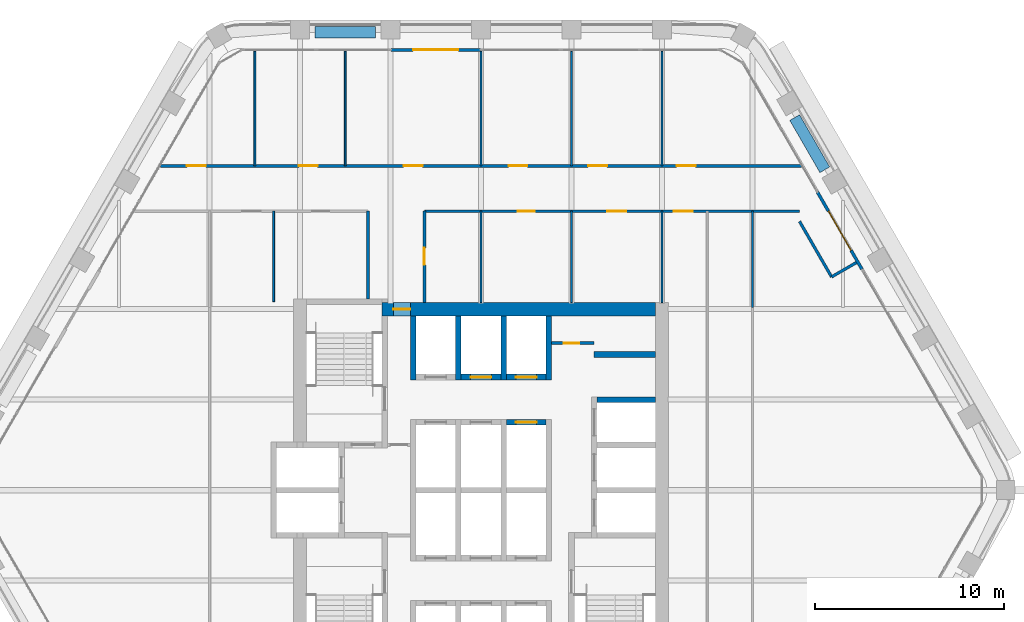
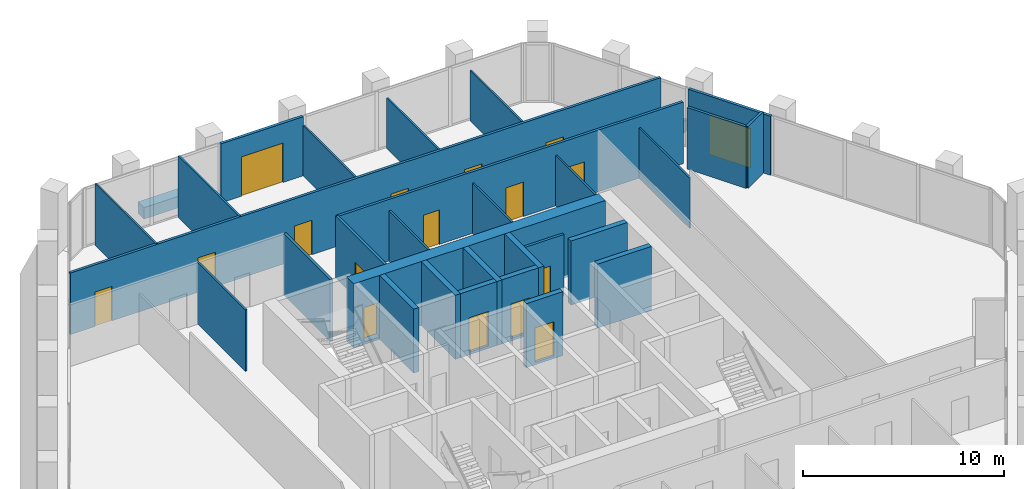
# One storey, part 12 of 16: 31 walls, 17 doors, 17 openings.
"""IFC4 building model written with IfcOpenShell, lengths in metres."""

from ifc_helpers import new_model, si_unit, direction, frame, frame_2d, origin, place, context, subcontext, project, spatial, rectangle, extrude, material, layer, layer_set, type_object, element, fill, save


model = new_model("IFC4")

# Units and contexts
model_context = context("Model", 3, precision=1e-05, world=origin(), true_north=direction((0.0, 1.0)))
body_context = subcontext(model_context, "Body", "Model", "MODEL_VIEW")
ifc_project = project(units=[si_unit("LENGTHUNIT", "METRE"), si_unit("AREAUNIT", "SQUARE_METRE"), si_unit("VOLUMEUNIT", "CUBIC_METRE"), si_unit("PLANEANGLEUNIT", "RADIAN"), si_unit("MASSUNIT", "GRAM", prefix="KILO")], contexts=[model_context])

# Site, building, storey
site_placement = place(None, origin())
site = spatial("IfcSite", under=ifc_project, at=site_placement, CompositionType="ELEMENT")
building_placement = place(site_placement, origin())
building = spatial("IfcBuilding", under=site, at=building_placement, Name="Kolab Exchange Tower", CompositionType="ELEMENT")
storey_placement = place(building_placement, frame((0.0, 0.0, 193.39990234375)))
storey = spatial("IfcBuildingStorey", under=building, at=storey_placement, Name="L41", CompositionType="ELEMENT", Elevation=193.39990234375)

# Wall, opening, door
ifc_material_1 = material(Name="Concrete C60/75", Category="concrete")
ifc_layer_1 = layer(ifc_material_1, 0.699951171875)
ifc_layer_set_1 = layer_set([ifc_layer_1], Name="Concrete C60/75")
wall_type_1 = type_object("IfcWallType", Name="CORE WALL 700 C60/75", PredefinedType="SHEAR", material=ifc_layer_set_1)
wall_1_placement = place(storey_placement, frame((-5.25, 9.60009765625, -0.14990234375), z_axis=(0.0, 0.0, 1.0), x_axis=(1.0, 0.0, 0.0)))
wall_1 = element("IfcWall", 1, at=wall_1_placement, inside=storey, type_object=wall_type_1, Name="wall/L41/core/031", PredefinedType="SHEAR", context=body_context, shape_type="SweptSolid", body=[
    extrude(rectangle(XDim=14.5, YDim=0.699951171875, at=frame_2d((7.25, 0.0))), origin(), (0.0, 0.0, 1.0), 3.89990234375),
])
opening_1_placement = place(wall_1_placement, frame((0.60009765625, 0.0, 0.14990234375)))
opening_1 = element("IfcOpeningElement", 2, at=opening_1_placement, cuts=wall_1, Name="Opening D6-289", PredefinedType="OPENING", context=body_context, shape_type="SweptSolid", body=[
    extrude(rectangle(XDim=0.89990234375, YDim=2.10009765625, at=frame_2d((0.449951171875, 1.050048828125))), frame((0.0, 0.35986328125, 0.0), z_axis=(0.0, -1.0, 0.0), x_axis=(1.0, 0.0, 0.0)), (0.0, 0.0, 1.0), 0.719970703125),
])
ifc_material_2 = material(Name="Steel S235", Category="steel")
door_type_1 = type_object("IfcDoorType", Name="CORE DOOR 900 EI 120", OperationType="SINGLE_SWING_LEFT", PredefinedType="DOOR", material=ifc_material_2)
door_1_placement = place(opening_1_placement, frame((0.89990234375, 0.0, 0.0), z_axis=(0.0, 0.0, 1.0), x_axis=(-1.0, 0.0, 0.0)))
door_1 = element("IfcDoor", 3, at=door_1_placement, inside=storey, type_object=door_type_1, Name="Core lobby door", OperationType="SINGLE_SWING_RIGHT", OverallHeight=2.10009765625, OverallWidth=0.89990234375, PredefinedType="DOOR", context=body_context, shape_type="SweptSolid", body=[
    extrude(rectangle(XDim=0.89990234375, YDim=2.10009765625, at=frame_2d((0.449951171875, 1.050048828125))), frame((0.0, 0.02490234375, 0.0), z_axis=(0.0, -1.0, 0.0), x_axis=(1.0, 0.0, 0.0)), (0.0, 0.0, 1.0), 0.050048828125),
])
fill(opening_1, door_1)

ifc_material_3 = material(Name="Aluminium EN AW-6063 T6", Category="aluminium")
ifc_layer_2 = layer(ifc_material_3, 0.159912109375)
ifc_layer_set_2 = layer_set([ifc_layer_2], Name="Aluminium EN AW-6063 T6")
wall_type_2 = type_object("IfcWallType", Name="DOOR SURROUND WALL 160 ALUMINIUM FRAMED", PredefinedType="PARTITIONING", material=ifc_layer_set_2)
wall_2_placement = place(storey_placement, frame((-4.77001953125, 23.361572265625, 0.0), z_axis=(0.0, 0.0, 1.0), x_axis=(1.0, 0.0, 0.0)))
wall_2 = element("IfcWall", 4, at=wall_2_placement, inside=storey, type_object=wall_type_2, Name="Door surround wall", PredefinedType="PARTITIONING", context=body_context, shape_type="SweptSolid", body=[
    extrude(rectangle(XDim=4.739990234375, YDim=0.159912109375, at=frame_2d((2.3701171875, 0.0))), origin(), (0.0, 0.0, 1.0), 3.60009765625),
])
opening_2_placement = place(wall_2_placement, frame((1.169921875, 0.0, 0.0)))
opening_2 = element("IfcOpeningElement", 5, at=opening_2_placement, cuts=wall_2, Name="Opening GD1-070", PredefinedType="OPENING", context=body_context, shape_type="SweptSolid", body=[
    extrude(rectangle(XDim=2.39990234375, YDim=2.39990234375, at=frame_2d((1.199951171875, 1.199951171875))), frame((0.0, 0.08984375, 0.0), z_axis=(0.0, -1.0, 0.0), x_axis=(1.0, 0.0, 0.0)), (0.0, 0.0, 1.0), 0.179931640625),
])
door_type_2 = type_object("IfcDoorType", Name="LOGGIA SLIDING GLASS DOOR 2400 X 2400", OperationType="DOUBLE_DOOR_SINGLE_SWING", PredefinedType="DOOR", material=ifc_material_3)
door_2_placement = place(opening_2_placement, origin())
door_2 = element("IfcDoor", 6, at=door_2_placement, inside=storey, type_object=door_type_2, Name="Loggia door", OperationType="DOUBLE_DOOR_SLIDING", OverallHeight=2.39990234375, OverallWidth=2.39990234375, PredefinedType="DOOR", context=body_context, shape_type="SweptSolid", body=[
    extrude(rectangle(XDim=2.39990234375, YDim=2.39990234375, at=frame_2d((1.199951171875, 1.199951171875))), frame((0.0, 0.02490234375, 0.0), z_axis=(0.0, -1.0, 0.0), x_axis=(1.0, 0.0, 0.0)), (0.0, 0.0, 1.0), 0.050048828125),
])
fill(opening_2, door_2)

wall_3_placement = place(storey_placement, frame((17.8466796875, 15.811767578125, 0.0), z_axis=(0.0, 0.0, 1.0), x_axis=(0.5000167099, -0.866015756104, 0.0)))
wall_3 = element("IfcWall", 7, at=wall_3_placement, inside=storey, type_object=wall_type_2, Name="Door surround wall", PredefinedType="PARTITIONING", context=body_context, shape_type="SweptSolid", body=[
    extrude(rectangle(XDim=4.739990234375, YDim=0.159912109375, at=frame_2d((2.3701171875, 0.0))), origin(), (0.0, 0.0, 1.0), 3.60009765625),
])
opening_3_placement = place(wall_3_placement, frame((1.169921875, 0.0, 0.0)))
opening_3 = element("IfcOpeningElement", 8, at=opening_3_placement, cuts=wall_3, Name="Opening GD1-071", PredefinedType="OPENING", context=body_context, shape_type="SweptSolid", body=[
    extrude(rectangle(XDim=2.39990234375, YDim=2.39990234375, at=frame_2d((1.199951171875, 1.199951171875))), frame((0.0, 0.08984375, 0.0), z_axis=(0.0, -1.0, 0.0), x_axis=(1.0, 0.0, 0.0)), (0.0, 0.0, 1.0), 0.179931640625),
])
door_3_placement = place(opening_3_placement, origin())
door_3 = element("IfcDoor", 9, at=door_3_placement, inside=storey, type_object=door_type_2, Name="Loggia door", OperationType="DOUBLE_DOOR_SLIDING", OverallHeight=2.39990234375, OverallWidth=2.39990234375, PredefinedType="DOOR", context=body_context, shape_type="SweptSolid", body=[
    extrude(rectangle(XDim=2.39990234375, YDim=2.39990234375, at=frame_2d((1.199951171875, 1.199951171875))), frame((0.0, 0.02490234375, 0.0), z_axis=(0.0, -1.0, 0.0), x_axis=(1.0, 0.0, 0.0)), (0.0, 0.0, 1.0), 0.050048828125),
])
fill(opening_3, door_3)

ifc_material_4 = material(Name="Concrete C50/60", Category="concrete")
ifc_layer_3 = layer(ifc_material_4, 0.300048828125)
ifc_layer_set_3 = layer_set([ifc_layer_3], Name="Concrete C50/60")
wall_type_3 = type_object("IfcWallType", Name="LIFT SHAFT WALL 300 C50/60", PredefinedType="STANDARD", material=ifc_layer_set_3)
wall_4_placement = place(storey_placement, frame((1.35009765625, 3.60009765625, -0.14990234375), z_axis=(0.0, 0.0, 1.0), x_axis=(1.0, 0.0, 0.0)))
wall_4 = element("IfcWall", 10, at=wall_4_placement, inside=storey, type_object=wall_type_3, Name="wall/L41/core/025", PredefinedType="STANDARD", context=body_context, shape_type="SweptSolid", body=[
    extrude(rectangle(XDim=2.099853515625, YDim=0.300048828125, at=frame_2d((1.0498046875, 0.0))), origin(), (0.0, 0.0, 1.0), 3.89990234375),
])
opening_4_placement = place(wall_4_placement, frame((0.5, 0.0, 0.14990234375)))
opening_4 = element("IfcOpeningElement", 11, at=opening_4_placement, cuts=wall_4, Name="Opening LD1-117", PredefinedType="OPENING", context=body_context, shape_type="SweptSolid", body=[
    extrude(rectangle(XDim=1.10009765625, YDim=2.10009765625, at=frame_2d((0.550048828125, 1.050048828125))), frame((0.0, 0.16015625, 0.0), z_axis=(0.0, -1.0, 0.0), x_axis=(1.0, 0.0, 0.0)), (0.0, 0.0, 1.0), 0.320068359375),
])
ifc_material_5 = material(Name="Stainless steel 316", Category="steel")
door_type_3 = type_object("IfcDoorType", Name="LANDING DOOR 1100 PASSENGER", OperationType="DOUBLE_DOOR_SLIDING", PredefinedType="DOOR", material=ifc_material_5)
door_4_placement = place(opening_4_placement, origin())
door_4 = element("IfcDoor", 12, at=door_4_placement, inside=storey, type_object=door_type_3, Name="Landing door HR6", OperationType="DOUBLE_DOOR_SLIDING", OverallHeight=2.10009765625, OverallWidth=1.10009765625, PredefinedType="DOOR", context=body_context, shape_type="SweptSolid", body=[
    extrude(rectangle(XDim=1.10009765625, YDim=2.10009765625, at=frame_2d((0.550048828125, 1.050048828125))), frame((0.0, 0.02490234375, 0.0), z_axis=(0.0, -1.0, 0.0), x_axis=(1.0, 0.0, 0.0)), (0.0, 0.0, 1.0), 0.050048828125),
])
fill(opening_4, door_4)

# Wall
wall_5_placement = place(storey_placement, frame((6.14990234375, 4.800048828125, -0.14990234375), z_axis=(0.0, 0.0, 1.0), x_axis=(1.0, 0.0, 0.0)))
element("IfcWall", 13, at=wall_5_placement, inside=storey, type_object=wall_type_3, Name="wall/L41/core/026", PredefinedType="STANDARD", context=body_context, shape_type="SweptSolid", body=[
    extrude(rectangle(XDim=3.10009765625, YDim=0.300048828125, at=frame_2d((1.550048828125, 0.0))), origin(), (0.0, 0.0, 1.0), 3.89990234375),
])

# Wall, opening, door
wall_6_placement = place(storey_placement, frame((-1.050048828125, 6.0, -0.14990234375), z_axis=(0.0, 0.0, 1.0), x_axis=(1.0, 0.0, 0.0)))
wall_6 = element("IfcWall", 14, at=wall_6_placement, inside=storey, type_object=wall_type_3, Name="wall/L41/core/028", PredefinedType="STANDARD", context=body_context, shape_type="SweptSolid", body=[
    extrude(rectangle(XDim=2.10009765625, YDim=0.300048828125, at=frame_2d((1.050048828125, 0.0))), origin(), (0.0, 0.0, 1.0), 3.89990234375),
])
opening_5_placement = place(wall_6_placement, frame((0.5, 0.0, 0.14990234375)))
opening_5 = element("IfcOpeningElement", 15, at=opening_5_placement, cuts=wall_6, Name="Opening LD1-113", PredefinedType="OPENING", context=body_context, shape_type="SweptSolid", body=[
    extrude(rectangle(XDim=1.10009765625, YDim=2.10009765625, at=frame_2d((0.550048828125, 1.050048828125))), frame((0.0, 0.16015625, 0.0), z_axis=(0.0, -1.0, 0.0), x_axis=(1.0, 0.0, 0.0)), (0.0, 0.0, 1.0), 0.320068359375),
])
door_5_placement = place(opening_5_placement, origin())
door_5 = element("IfcDoor", 16, at=door_5_placement, inside=storey, type_object=door_type_3, Name="Landing door HR2", OperationType="DOUBLE_DOOR_SLIDING", OverallHeight=2.10009765625, OverallWidth=1.10009765625, PredefinedType="DOOR", context=body_context, shape_type="SweptSolid", body=[
    extrude(rectangle(XDim=1.10009765625, YDim=2.10009765625, at=frame_2d((0.550048828125, 1.050048828125))), frame((0.0, 0.02490234375, 0.0), z_axis=(0.0, -1.0, 0.0), x_axis=(1.0, 0.0, 0.0)), (0.0, 0.0, 1.0), 0.050048828125),
])
fill(opening_5, door_5)

wall_7_placement = place(storey_placement, frame((1.35009765625, 6.0, -0.14990234375), z_axis=(0.0, 0.0, 1.0), x_axis=(1.0, 0.0, 0.0)))
wall_7 = element("IfcWall", 17, at=wall_7_placement, inside=storey, type_object=wall_type_3, Name="wall/L41/core/029", PredefinedType="STANDARD", context=body_context, shape_type="SweptSolid", body=[
    extrude(rectangle(XDim=2.099853515625, YDim=0.300048828125, at=frame_2d((1.0498046875, 0.0))), origin(), (0.0, 0.0, 1.0), 3.89990234375),
])
opening_6_placement = place(wall_7_placement, frame((0.5, 0.0, 0.14990234375)))
opening_6 = element("IfcOpeningElement", 18, at=opening_6_placement, cuts=wall_7, Name="Opening LD1-114", PredefinedType="OPENING", context=body_context, shape_type="SweptSolid", body=[
    extrude(rectangle(XDim=1.10009765625, YDim=2.10009765625, at=frame_2d((0.550048828125, 1.050048828125))), frame((0.0, 0.16015625, 0.0), z_axis=(0.0, -1.0, 0.0), x_axis=(1.0, 0.0, 0.0)), (0.0, 0.0, 1.0), 0.320068359375),
])
door_6_placement = place(opening_6_placement, origin())
door_6 = element("IfcDoor", 19, at=door_6_placement, inside=storey, type_object=door_type_3, Name="Landing door HR3", OperationType="DOUBLE_DOOR_SLIDING", OverallHeight=2.10009765625, OverallWidth=1.10009765625, PredefinedType="DOOR", context=body_context, shape_type="SweptSolid", body=[
    extrude(rectangle(XDim=1.10009765625, YDim=2.10009765625, at=frame_2d((0.550048828125, 1.050048828125))), frame((0.0, 0.02490234375, 0.0), z_axis=(0.0, -1.0, 0.0), x_axis=(1.0, 0.0, 0.0)), (0.0, 0.0, 1.0), 0.050048828125),
])
fill(opening_6, door_6)

# Walls
wall_8_placement = place(storey_placement, frame((6.0, 7.199951171875, -0.14990234375), z_axis=(0.0, 0.0, 1.0), x_axis=(1.0, 0.0, 0.0)))
element("IfcWall", 20, at=wall_8_placement, inside=storey, type_object=wall_type_3, Name="wall/L41/core/030", PredefinedType="STANDARD", context=body_context, shape_type="SweptSolid", body=[
    extrude(rectangle(XDim=3.25, YDim=0.300048828125, at=frame_2d((1.625, 0.0))), origin(), (0.0, 0.0, 1.0), 3.89990234375),
])
for number, where, z_axis, x_axis, name in (
    (21, (-3.60009765625, 5.85009765625, -0.14990234375), (0.0, 0.0, 1.0), (0.0, 1.0, 0.0), "wall/L41/core/045"),
    (22, (-1.199951171875, 5.85009765625, -0.14990234375), (0.0, 0.0, 1.0), (0.0, 1.0, 0.0), "wall/L41/core/048"),
    (23, (1.199951171875, 5.85009765625, -0.14990234375), (0.0, 0.0, 1.0), (0.0, 1.0, 0.0), "wall/L41/core/051"),
    (24, (3.60009765625, 5.85009765625, -0.14990234375), (0.0, 0.0, 1.0), (0.0, 1.0, 0.0), "wall/L41/core/054"),
):
    element("IfcWall", number, at=place(storey_placement, frame(where, z_axis=z_axis, x_axis=x_axis)), inside=storey, type_object=wall_type_3, Name=name, PredefinedType="STANDARD", context=body_context, shape_type="SweptSolid", body=[
        extrude(rectangle(XDim=3.39990234375, YDim=0.300048828125, at=frame_2d((1.699951171875, 0.0))), origin(), (0.0, 0.0, 1.0), 3.89990234375),
    ])
ifc_material_6 = material(Name="Gypsum board", Category="gypsum")
ifc_layer_4 = layer(ifc_material_6, 0.10009765625)
ifc_layer_set_4 = layer_set([ifc_layer_4], Name="Gypsum board")
wall_type_4 = type_object("IfcWallType", Name="PARTITION 100", PredefinedType="PARTITIONING", material=ifc_layer_set_4)
wall_9_placement = place(storey_placement, frame((14.39990234375, 9.693603515625, 0.0), z_axis=(0.0, 0.0, 1.0), x_axis=(0.0, 1.0, 0.0)))
element("IfcWall", 25, at=wall_9_placement, inside=storey, type_object=wall_type_4, Name="Partition 001", PredefinedType="PARTITIONING", context=body_context, shape_type="SweptSolid", body=[
    extrude(rectangle(XDim=5.1064453125, YDim=0.10009765625, at=frame_2d((2.55322265625, 0.0))), origin(), (0.0, 0.0, 1.0), 3.066162109375),
])
wall_10_placement = place(storey_placement, frame((9.60009765625, 9.949951171875, 0.0), z_axis=(0.0, 0.0, 1.0), x_axis=(0.0, 1.0, 0.0)))
element("IfcWall", 26, at=wall_10_placement, inside=storey, type_object=wall_type_4, Name="Partition 004", PredefinedType="PARTITIONING", context=body_context, shape_type="SweptSolid", body=[
    extrude(rectangle(XDim=4.85009765625, YDim=0.10009765625, at=frame_2d((2.425048828125, 0.0))), origin(), (0.0, 0.0, 1.0), 3.066162109375),
])
wall_11_placement = place(storey_placement, frame((9.60009765625, 17.199951171875, 0.0), z_axis=(0.0, 0.0, 1.0), x_axis=(0.0, 1.0, 0.0)))
element("IfcWall", 27, at=wall_11_placement, inside=storey, type_object=wall_type_4, Name="Partition 005", PredefinedType="PARTITIONING", context=body_context, shape_type="SweptSolid", body=[
    extrude(rectangle(XDim=6.071533203125, YDim=0.10009765625, at=frame_2d((3.03564453125, 0.0))), origin(), (0.0, 0.0, 1.0), 3.066162109375),
])
wall_12_placement = place(storey_placement, frame((4.800048828125, 9.949951171875, 0.0), z_axis=(0.0, 0.0, 1.0), x_axis=(0.0, 1.0, 0.0)))
element("IfcWall", 28, at=wall_12_placement, inside=storey, type_object=wall_type_4, Name="Partition 007", PredefinedType="PARTITIONING", context=body_context, shape_type="SweptSolid", body=[
    extrude(rectangle(XDim=4.85009765625, YDim=0.10009765625, at=frame_2d((2.425048828125, 0.0))), origin(), (0.0, 0.0, 1.0), 3.066162109375),
])
wall_13_placement = place(storey_placement, frame((4.800048828125, 17.199951171875, 0.0), z_axis=(0.0, 0.0, 1.0), x_axis=(0.0, 1.0, 0.0)))
element("IfcWall", 29, at=wall_13_placement, inside=storey, type_object=wall_type_4, Name="Partition 008", PredefinedType="PARTITIONING", context=body_context, shape_type="SweptSolid", body=[
    extrude(rectangle(XDim=6.071533203125, YDim=0.10009765625, at=frame_2d((3.03564453125, 0.0))), origin(), (0.0, 0.0, 1.0), 3.066162109375),
])
wall_14_placement = place(storey_placement, frame((0.0, 9.949951171875, 0.0), z_axis=(0.0, 0.0, 1.0), x_axis=(0.0, 1.0, 0.0)))
element("IfcWall", 30, at=wall_14_placement, inside=storey, type_object=wall_type_4, Name="Partition 010", PredefinedType="PARTITIONING", context=body_context, shape_type="SweptSolid", body=[
    extrude(rectangle(XDim=4.85009765625, YDim=0.10009765625, at=frame_2d((2.425048828125, 0.0))), origin(), (0.0, 0.0, 1.0), 3.066162109375),
])
wall_15_placement = place(storey_placement, frame((0.0, 17.199951171875, 0.0), z_axis=(0.0, 0.0, 1.0), x_axis=(0.0, 1.0, 0.0)))
element("IfcWall", 31, at=wall_15_placement, inside=storey, type_object=wall_type_4, Name="Partition 011", PredefinedType="PARTITIONING", context=body_context, shape_type="SweptSolid", body=[
    extrude(rectangle(XDim=6.08154296875, YDim=0.10009765625, at=frame_2d((3.040771484375, 0.0))), origin(), (0.0, 0.0, 1.0), 3.066162109375),
])
wall_16_placement = place(storey_placement, frame((-7.199951171875, 17.199951171875, 0.0), z_axis=(0.0, 0.0, 1.0), x_axis=(0.0, 1.0, 0.0)))
element("IfcWall", 32, at=wall_16_placement, inside=storey, type_object=wall_type_4, Name="Partition 016", PredefinedType="PARTITIONING", context=body_context, shape_type="SweptSolid", body=[
    extrude(rectangle(XDim=6.071533203125, YDim=0.10009765625, at=frame_2d((3.03564453125, 0.0))), origin(), (0.0, 0.0, 1.0), 3.75),
])
wall_17_placement = place(storey_placement, frame((-11.0, 10.0, 0.0), z_axis=(0.0, 0.0, 1.0), x_axis=(0.0, 1.0, 0.0)))
element("IfcWall", 33, at=wall_17_placement, inside=storey, type_object=wall_type_4, Name="Partition 018", PredefinedType="PARTITIONING", context=body_context, shape_type="SweptSolid", body=[
    extrude(rectangle(XDim=4.800048828125, YDim=0.10009765625, at=frame_2d((2.39990234375, 0.0))), origin(), (0.0, 0.0, 1.0), 3.75),
])
wall_18_placement = place(storey_placement, frame((-12.0, 17.199951171875, 0.0), z_axis=(0.0, 0.0, 1.0), x_axis=(0.0, 1.0, 0.0)))
element("IfcWall", 34, at=wall_18_placement, inside=storey, type_object=wall_type_4, Name="Partition 019", PredefinedType="PARTITIONING", context=body_context, shape_type="SweptSolid", body=[
    extrude(rectangle(XDim=6.071533203125, YDim=0.10009765625, at=frame_2d((3.03564453125, 0.0))), origin(), (0.0, 0.0, 1.0), 3.75),
])

# Wall, opening, door
ifc_layer_5 = layer(ifc_material_6, 0.14990234375)
ifc_layer_set_5 = layer_set([ifc_layer_5], Name="Gypsum board")
wall_type_5 = type_object("IfcWallType", Name="PARTITION 150 FIRE-RATED", PredefinedType="PARTITIONING", material=ifc_layer_set_5)
wall_19_placement = place(storey_placement, frame((-3.0, 9.949951171875, 0.0), z_axis=(0.0, 0.0, 1.0), x_axis=(0.0, 1.0, 0.0)))
wall_19 = element("IfcWall", 35, at=wall_19_placement, inside=storey, type_object=wall_type_5, Name="Partition 012", PredefinedType="PARTITIONING", context=body_context, shape_type="SweptSolid", body=[
    extrude(rectangle(XDim=4.85009765625, YDim=0.14990234375, at=frame_2d((2.425048828125, 0.0))), origin(), (0.0, 0.0, 1.0), 3.75),
])
opening_7_placement = place(wall_19_placement, frame((2.0, 0.0, 0.0)))
opening_7 = element("IfcOpeningElement", 36, at=opening_7_placement, cuts=wall_19, Name="Opening D3-057", PredefinedType="OPENING", context=body_context, shape_type="SweptSolid", body=[
    extrude(rectangle(XDim=0.89990234375, YDim=2.10009765625, at=frame_2d((0.449951171875, 1.050048828125))), frame((0.0, 0.0849609375, 0.0), z_axis=(0.0, -1.0, 0.0), x_axis=(1.0, 0.0, 0.0)), (0.0, 0.0, 1.0), 0.169921875),
])
door_type_4 = type_object("IfcDoorType", Name="FLUSH DOOR 900 FD60", OperationType="SINGLE_SWING_LEFT", PredefinedType="DOOR", material=ifc_material_2)
door_7_placement = place(opening_7_placement, frame((0.89990234375, 0.0, 0.0), z_axis=(0.0, 0.0, 1.0), x_axis=(-1.0, 0.0, 0.0)))
door_7 = element("IfcDoor", 37, at=door_7_placement, inside=storey, type_object=door_type_4, Name="Door L41-030", OperationType="SINGLE_SWING_LEFT", OverallHeight=2.10009765625, OverallWidth=0.89990234375, PredefinedType="DOOR", context=body_context, shape_type="SweptSolid", body=[
    extrude(rectangle(XDim=0.89990234375, YDim=2.10009765625, at=frame_2d((0.449951171875, 1.050048828125))), frame((0.0, 0.02490234375, 0.0), z_axis=(0.0, -1.0, 0.0), x_axis=(1.0, 0.0, 0.0)), (0.0, 0.0, 1.0), 0.050048828125),
])
fill(opening_7, door_7)

# Walls
wall_20_placement = place(storey_placement, frame((-6.0, 10.14990234375, 0.0), z_axis=(0.0, 0.0, 1.0), x_axis=(0.0, 1.0, 0.0)))
element("IfcWall", 38, at=wall_20_placement, inside=storey, type_object=wall_type_5, Name="Partition 015", PredefinedType="PARTITIONING", context=body_context, shape_type="SweptSolid", body=[
    extrude(rectangle(XDim=4.650146484375, YDim=0.14990234375, at=frame_2d((2.3251953125, 0.0))), origin(), (0.0, 0.0, 1.0), 3.75),
])
wall_21_placement = place(storey_placement, frame((16.89599609375, 14.25830078125, 0.0), z_axis=(0.0, 0.0, 1.0), x_axis=(0.499977295307, -0.866038511948, 0.0)))
element("IfcWall", 39, at=wall_21_placement, inside=storey, type_object=wall_type_5, Name="Partition 023", PredefinedType="PARTITIONING", context=body_context, shape_type="SweptSolid", body=[
    extrude(rectangle(XDim=3.400146484375, YDim=0.14990234375, at=frame_2d((1.7001953125, 0.0))), origin(), (0.0, 0.0, 1.0), 3.75),
])
wall_22_placement = place(storey_placement, frame((18.595947265625, 11.313720703125, 0.0), z_axis=(0.0, 0.0, 1.0), x_axis=(0.866030456496, 0.499991248344, 0.0)))
element("IfcWall", 40, at=wall_22_placement, inside=storey, type_object=wall_type_5, Name="Partition 027", PredefinedType="PARTITIONING", context=body_context, shape_type="SweptSolid", body=[
    extrude(rectangle(XDim=1.52001953125, YDim=0.14990234375, at=frame_2d((0.760009765625, 0.0))), origin(), (0.0, 0.0, 1.0), 3.75),
])

# Wall, opening, door
wall_23_placement = place(storey_placement, frame((3.75, 7.800048828125, 0.0), z_axis=(0.0, 0.0, 1.0), x_axis=(1.0, 0.0, 0.0)))
wall_23 = element("IfcWall", 41, at=wall_23_placement, inside=storey, type_object=wall_type_5, Name="Partition 032", PredefinedType="PARTITIONING", context=body_context, shape_type="SweptSolid", body=[
    extrude(rectangle(XDim=2.25, YDim=0.14990234375, at=frame_2d((1.125, 0.0))), origin(), (0.0, 0.0, 1.0), 3.75),
])
opening_8_placement = place(wall_23_placement, frame((0.64990234375, 0.0, 0.0)))
opening_8 = element("IfcOpeningElement", 42, at=opening_8_placement, cuts=wall_23, Name="Opening D7-035", PredefinedType="OPENING", context=body_context, shape_type="SweptSolid", body=[
    extrude(rectangle(XDim=0.800048828125, YDim=2.10009765625, at=frame_2d((0.39990234375, 1.050048828125))), frame((0.0, 0.0849609375, 0.0), z_axis=(0.0, -1.0, 0.0), x_axis=(1.0, 0.0, 0.0)), (0.0, 0.0, 1.0), 0.169921875),
])
door_type_5 = type_object("IfcDoorType", Name="FLUSH DOOR 800 FD60", OperationType="SINGLE_SWING_LEFT", PredefinedType="DOOR", material=ifc_material_2)
door_8_placement = place(opening_8_placement, origin())
door_8 = element("IfcDoor", 43, at=door_8_placement, inside=storey, type_object=door_type_5, Name="Door L41-023", OperationType="SINGLE_SWING_LEFT", OverallHeight=2.10009765625, OverallWidth=0.800048828125, PredefinedType="DOOR", context=body_context, shape_type="SweptSolid", body=[
    extrude(rectangle(XDim=0.800048828125, YDim=2.10009765625, at=frame_2d((0.39990234375, 1.050048828125))), frame((0.0, 0.02490234375, 0.0), z_axis=(0.0, -1.0, 0.0), x_axis=(1.0, 0.0, 0.0)), (0.0, 0.0, 1.0), 0.050048828125),
])
fill(opening_8, door_8)

# Wall, openings, doors
wall_24_placement = place(storey_placement, frame((-3.0, 14.800048828125, 0.0), z_axis=(0.0, 0.0, 1.0), x_axis=(1.0, 0.0, 0.0)))
wall_24 = element("IfcWall", 44, at=wall_24_placement, inside=storey, type_object=wall_type_5, Name="Partition 034", PredefinedType="PARTITIONING", context=body_context, shape_type="SweptSolid", body=[
    extrude(rectangle(XDim=19.9052734375, YDim=0.14990234375, at=frame_2d((9.95263671875, 0.0))), origin(), (0.0, 0.0, 1.0), 3.75),
])
opening_9_placement = place(wall_24_placement, frame((4.949951171875, 0.0, 0.0)))
opening_9 = element("IfcOpeningElement", 45, at=opening_9_placement, cuts=wall_24, Name="Opening D3-058", PredefinedType="OPENING", context=body_context, shape_type="SweptSolid", body=[
    extrude(rectangle(XDim=0.89990234375, YDim=2.10009765625, at=frame_2d((0.449951171875, 1.050048828125))), frame((0.0, 0.0849609375, 0.0), z_axis=(0.0, -1.0, 0.0), x_axis=(1.0, 0.0, 0.0)), (0.0, 0.0, 1.0), 0.169921875),
])
opening_10_placement = place(wall_24_placement, frame((9.699951171875, 0.0, 0.0)))
opening_10 = element("IfcOpeningElement", 46, at=opening_10_placement, cuts=wall_24, Name="Opening D1-537", PredefinedType="OPENING", context=body_context, shape_type="SweptSolid", body=[
    extrude(rectangle(XDim=1.0, YDim=2.10009765625, at=frame_2d((0.5, 1.050048828125))), frame((0.0, 0.0849609375, 0.0), z_axis=(0.0, -1.0, 0.0), x_axis=(1.0, 0.0, 0.0)), (0.0, 0.0, 1.0), 0.169921875),
])
opening_11_placement = place(wall_24_placement, frame((13.22509765625, 0.0, 0.0)))
opening_11 = element("IfcOpeningElement", 47, at=opening_11_placement, cuts=wall_24, Name="Opening D1-546", PredefinedType="OPENING", context=body_context, shape_type="SweptSolid", body=[
    extrude(rectangle(XDim=1.0, YDim=2.10009765625, at=frame_2d((0.5, 1.050048828125))), frame((0.0, 0.0849609375, 0.0), z_axis=(0.0, -1.0, 0.0), x_axis=(1.0, 0.0, 0.0)), (0.0, 0.0, 1.0), 0.169921875),
])
door_type_6 = type_object("IfcDoorType", Name="FLUSH DOOR 1000 FD60", OperationType="SINGLE_SWING_LEFT", PredefinedType="DOOR", material=ifc_material_2)
door_9_placement = place(opening_10_placement, frame((1.0, 0.0, 0.0), z_axis=(0.0, 0.0, 1.0), x_axis=(-1.0, 0.0, 0.0)))
door_9 = element("IfcDoor", 48, at=door_9_placement, inside=storey, type_object=door_type_6, Name="Door L41-032", OperationType="SINGLE_SWING_LEFT", OverallHeight=2.10009765625, OverallWidth=1.0, PredefinedType="DOOR", context=body_context, shape_type="SweptSolid", body=[
    extrude(rectangle(XDim=1.0, YDim=2.10009765625, at=frame_2d((0.5, 1.050048828125))), frame((0.0, 0.02490234375, 0.0), z_axis=(0.0, -1.0, 0.0), x_axis=(1.0, 0.0, 0.0)), (0.0, 0.0, 1.0), 0.050048828125),
])
fill(opening_10, door_9)
door_10_placement = place(opening_11_placement, frame((1.0, 0.0, 0.0), z_axis=(0.0, 0.0, 1.0), x_axis=(-1.0, 0.0, 0.0)))
door_10 = element("IfcDoor", 49, at=door_10_placement, inside=storey, type_object=door_type_6, Name="Door L41-048", OperationType="SINGLE_SWING_LEFT", OverallHeight=2.10009765625, OverallWidth=1.0, PredefinedType="DOOR", context=body_context, shape_type="SweptSolid", body=[
    extrude(rectangle(XDim=1.0, YDim=2.10009765625, at=frame_2d((0.5, 1.050048828125))), frame((0.0, 0.02490234375, 0.0), z_axis=(0.0, -1.0, 0.0), x_axis=(1.0, 0.0, 0.0)), (0.0, 0.0, 1.0), 0.050048828125),
])
fill(opening_11, door_10)
door_11_placement = place(opening_9_placement, frame((0.89990234375, 0.0, 0.0), z_axis=(0.0, 0.0, 1.0), x_axis=(-1.0, 0.0, 0.0)))
door_11 = element("IfcDoor", 50, at=door_11_placement, inside=storey, type_object=door_type_4, Name="Door L41-031", OperationType="SINGLE_SWING_RIGHT", OverallHeight=2.10009765625, OverallWidth=0.89990234375, PredefinedType="DOOR", context=body_context, shape_type="SweptSolid", body=[
    extrude(rectangle(XDim=0.89990234375, YDim=2.10009765625, at=frame_2d((0.449951171875, 1.050048828125))), frame((0.0, 0.02490234375, 0.0), z_axis=(0.0, -1.0, 0.0), x_axis=(1.0, 0.0, 0.0)), (0.0, 0.0, 1.0), 0.050048828125),
])
fill(opening_9, door_11)

wall_25_placement = place(storey_placement, frame((-16.9990234375, 17.199951171875, 0.0), z_axis=(0.0, 0.0, 1.0), x_axis=(1.0, 0.0, 0.0)))
wall_25 = element("IfcWall", 51, at=wall_25_placement, inside=storey, type_object=wall_type_5, Name="Partition 035", PredefinedType="PARTITIONING", context=body_context, shape_type="SweptSolid", body=[
    extrude(rectangle(XDim=33.998046875, YDim=0.14990234375, at=frame_2d((16.9990234375, 0.0))), origin(), (0.0, 0.0, 1.0), 3.75),
])
opening_12_placement = place(wall_25_placement, frame((1.399658203125, 0.0, 0.0)))
opening_12 = element("IfcOpeningElement", 52, at=opening_12_placement, cuts=wall_25, Name="Opening D1-520", PredefinedType="OPENING", context=body_context, shape_type="SweptSolid", body=[
    extrude(rectangle(XDim=1.0, YDim=2.10009765625, at=frame_2d((0.5, 1.050048828125))), frame((0.0, 0.0849609375, 0.0), z_axis=(0.0, -1.0, 0.0), x_axis=(1.0, 0.0, 0.0)), (0.0, 0.0, 1.0), 0.169921875),
])
opening_13_placement = place(wall_25_placement, frame((7.333984375, 0.0, 0.0)))
opening_13 = element("IfcOpeningElement", 53, at=opening_13_placement, cuts=wall_25, Name="Opening D1-521", PredefinedType="OPENING", context=body_context, shape_type="SweptSolid", body=[
    extrude(rectangle(XDim=1.0, YDim=2.10009765625, at=frame_2d((0.5, 1.050048828125))), frame((0.0, 0.0849609375, 0.0), z_axis=(0.0, -1.0, 0.0), x_axis=(1.0, 0.0, 0.0)), (0.0, 0.0, 1.0), 0.169921875),
])
opening_14_placement = place(wall_25_placement, frame((12.89892578125, 0.0, 0.0)))
opening_14 = element("IfcOpeningElement", 54, at=opening_14_placement, cuts=wall_25, Name="Opening D1-522", PredefinedType="OPENING", context=body_context, shape_type="SweptSolid", body=[
    extrude(rectangle(XDim=1.0, YDim=2.10009765625, at=frame_2d((0.5, 1.050048828125))), frame((0.0, 0.0849609375, 0.0), z_axis=(0.0, -1.0, 0.0), x_axis=(1.0, 0.0, 0.0)), (0.0, 0.0, 1.0), 0.169921875),
])
opening_15_placement = place(wall_25_placement, frame((18.464111328125, 0.0, 0.0)))
opening_15 = element("IfcOpeningElement", 55, at=opening_15_placement, cuts=wall_25, Name="Opening D1-523", PredefinedType="OPENING", context=body_context, shape_type="SweptSolid", body=[
    extrude(rectangle(XDim=1.0, YDim=2.10009765625, at=frame_2d((0.5, 1.050048828125))), frame((0.0, 0.0849609375, 0.0), z_axis=(0.0, -1.0, 0.0), x_axis=(1.0, 0.0, 0.0)), (0.0, 0.0, 1.0), 0.169921875),
])
opening_16_placement = place(wall_25_placement, frame((22.68408203125, 0.0, 0.0)))
opening_16 = element("IfcOpeningElement", 56, at=opening_16_placement, cuts=wall_25, Name="Opening D1-524", PredefinedType="OPENING", context=body_context, shape_type="SweptSolid", body=[
    extrude(rectangle(XDim=1.0, YDim=2.10009765625, at=frame_2d((0.5, 1.050048828125))), frame((0.0, 0.0849609375, 0.0), z_axis=(0.0, -1.0, 0.0), x_axis=(1.0, 0.0, 0.0)), (0.0, 0.0, 1.0), 0.169921875),
])
opening_17_placement = place(wall_25_placement, frame((27.37890625, 0.0, 0.0)))
opening_17 = element("IfcOpeningElement", 57, at=opening_17_placement, cuts=wall_25, Name="Opening D1-525", PredefinedType="OPENING", context=body_context, shape_type="SweptSolid", body=[
    extrude(rectangle(XDim=1.0, YDim=2.10009765625, at=frame_2d((0.5, 1.050048828125))), frame((0.0, 0.0849609375, 0.0), z_axis=(0.0, -1.0, 0.0), x_axis=(1.0, 0.0, 0.0)), (0.0, 0.0, 1.0), 0.169921875),
])
door_12_placement = place(opening_12_placement, origin())
door_12 = element("IfcDoor", 58, at=door_12_placement, inside=storey, type_object=door_type_6, Name="Door L41-034", OperationType="SINGLE_SWING_LEFT", OverallHeight=2.10009765625, OverallWidth=1.0, PredefinedType="DOOR", context=body_context, shape_type="SweptSolid", body=[
    extrude(rectangle(XDim=1.0, YDim=2.10009765625, at=frame_2d((0.5, 1.050048828125))), frame((0.0, 0.02490234375, 0.0), z_axis=(0.0, -1.0, 0.0), x_axis=(1.0, 0.0, 0.0)), (0.0, 0.0, 1.0), 0.050048828125),
])
fill(opening_12, door_12)
door_13_placement = place(opening_13_placement, origin())
door_13 = element("IfcDoor", 59, at=door_13_placement, inside=storey, type_object=door_type_6, Name="Door L41-035", OperationType="SINGLE_SWING_RIGHT", OverallHeight=2.10009765625, OverallWidth=1.0, PredefinedType="DOOR", context=body_context, shape_type="SweptSolid", body=[
    extrude(rectangle(XDim=1.0, YDim=2.10009765625, at=frame_2d((0.5, 1.050048828125))), frame((0.0, 0.02490234375, 0.0), z_axis=(0.0, -1.0, 0.0), x_axis=(1.0, 0.0, 0.0)), (0.0, 0.0, 1.0), 0.050048828125),
])
fill(opening_13, door_13)
door_14_placement = place(opening_14_placement, origin())
door_14 = element("IfcDoor", 60, at=door_14_placement, inside=storey, type_object=door_type_6, Name="Door L41-036", OperationType="SINGLE_SWING_RIGHT", OverallHeight=2.10009765625, OverallWidth=1.0, PredefinedType="DOOR", context=body_context, shape_type="SweptSolid", body=[
    extrude(rectangle(XDim=1.0, YDim=2.10009765625, at=frame_2d((0.5, 1.050048828125))), frame((0.0, 0.02490234375, 0.0), z_axis=(0.0, -1.0, 0.0), x_axis=(1.0, 0.0, 0.0)), (0.0, 0.0, 1.0), 0.050048828125),
])
fill(opening_14, door_14)
door_15_placement = place(opening_15_placement, origin())
door_15 = element("IfcDoor", 61, at=door_15_placement, inside=storey, type_object=door_type_6, Name="Door L41-037", OperationType="SINGLE_SWING_LEFT", OverallHeight=2.10009765625, OverallWidth=1.0, PredefinedType="DOOR", context=body_context, shape_type="SweptSolid", body=[
    extrude(rectangle(XDim=1.0, YDim=2.10009765625, at=frame_2d((0.5, 1.050048828125))), frame((0.0, 0.02490234375, 0.0), z_axis=(0.0, -1.0, 0.0), x_axis=(1.0, 0.0, 0.0)), (0.0, 0.0, 1.0), 0.050048828125),
])
fill(opening_15, door_15)
door_16_placement = place(opening_16_placement, origin())
door_16 = element("IfcDoor", 62, at=door_16_placement, inside=storey, type_object=door_type_6, Name="Door L41-038", OperationType="SINGLE_SWING_LEFT", OverallHeight=2.10009765625, OverallWidth=1.0, PredefinedType="DOOR", context=body_context, shape_type="SweptSolid", body=[
    extrude(rectangle(XDim=1.0, YDim=2.10009765625, at=frame_2d((0.5, 1.050048828125))), frame((0.0, 0.02490234375, 0.0), z_axis=(0.0, -1.0, 0.0), x_axis=(1.0, 0.0, 0.0)), (0.0, 0.0, 1.0), 0.050048828125),
])
fill(opening_16, door_16)
door_17_placement = place(opening_17_placement, origin())
door_17 = element("IfcDoor", 63, at=door_17_placement, inside=storey, type_object=door_type_6, Name="Door L41-039", OperationType="SINGLE_SWING_LEFT", OverallHeight=2.10009765625, OverallWidth=1.0, PredefinedType="DOOR", context=body_context, shape_type="SweptSolid", body=[
    extrude(rectangle(XDim=1.0, YDim=2.10009765625, at=frame_2d((0.5, 1.050048828125))), frame((0.0, 0.02490234375, 0.0), z_axis=(0.0, -1.0, 0.0), x_axis=(1.0, 0.0, 0.0)), (0.0, 0.0, 1.0), 0.050048828125),
])
fill(opening_17, door_17)

# Walls
ifc_material_7 = material(Name="Granite facing", Category="masonry")
ifc_layer_6 = layer(ifc_material_7, 0.0400390625)
ifc_material_8 = material(Name="Concrete C40/50 precast", Category="concrete")
ifc_layer_7 = layer(ifc_material_8, 0.56005859375)
ifc_layer_set_6 = layer_set([ifc_layer_6, ifc_layer_7], Name="Concrete C40/50 precast")
wall_type_6 = type_object("IfcWallType", Name="PLANTER BOX 600 X 700 SOIL DEPTH 550", PredefinedType="USERDEFINED", material=ifc_layer_set_6)
for number, where, z_axis, x_axis, name in (
    (64, (-8.800048828125, 24.29150390625, 0.0), (0.0, 0.0, 1.0), (1.0, 0.0, 0.0), "Planter"),
    (65, (16.636962890625, 19.766845703125, 0.0), (0.0, 0.0, 1.0), (0.500028443584, -0.866008981251, 0.0), "Planter"),
):
    element("IfcWall", number, at=place(storey_placement, frame(where, z_axis=z_axis, x_axis=x_axis)), inside=storey, type_object=wall_type_6, Name=name, ObjectType="PLANTER", PredefinedType="USERDEFINED", context=body_context, shape_type="SweptSolid", body=[
        extrude(rectangle(XDim=3.199951171875, YDim=0.60009765625, at=frame_2d((1.60009765625, 0.0))), origin(), (0.0, 0.0, 1.0), 0.7001953125),
    ])

save(model, "model.ifc")
